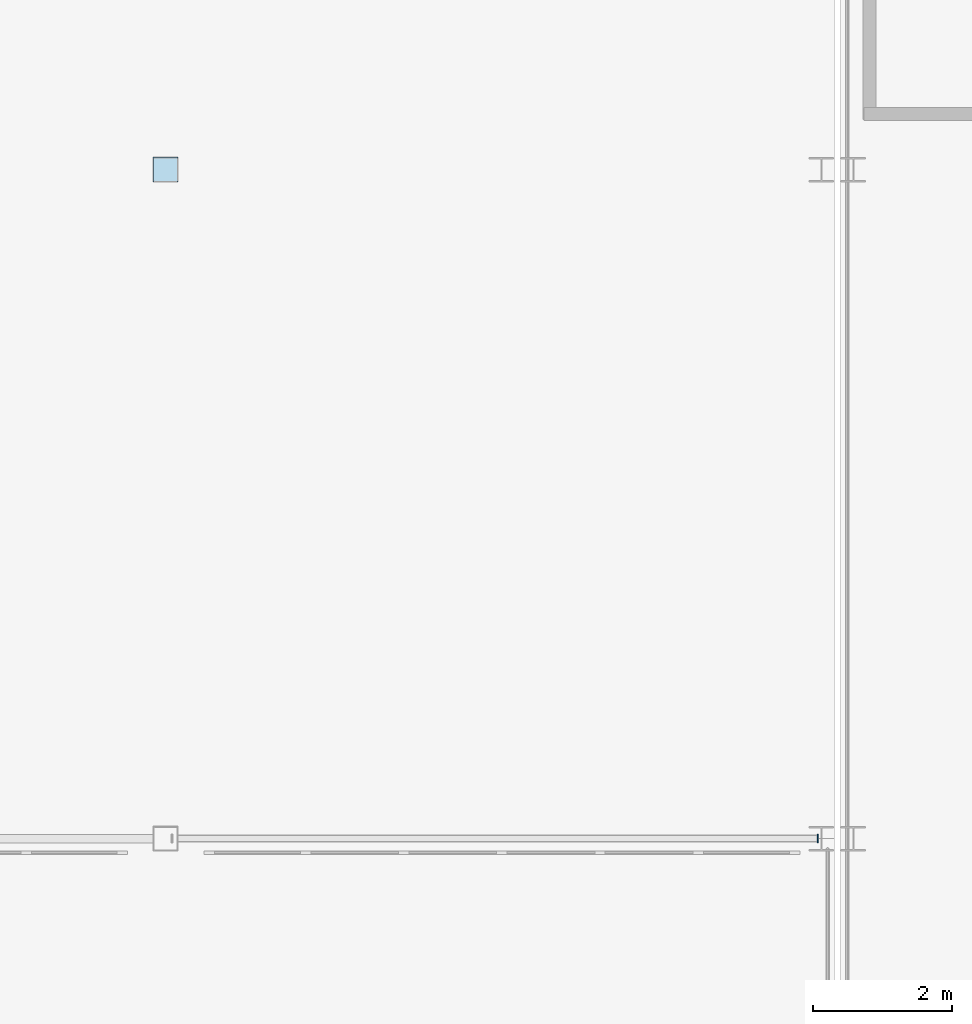
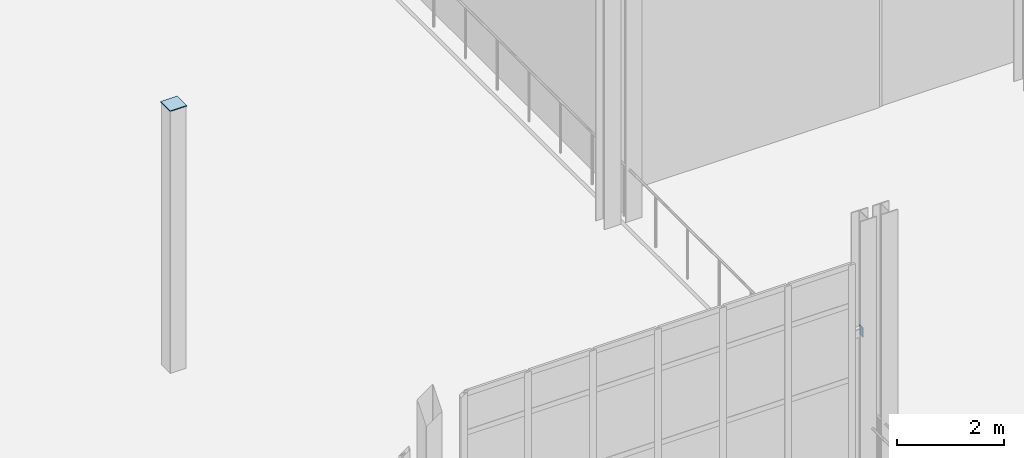
# One storey, part 98 of 139: 2 plates.
"""IFC4 building model written with IfcOpenShell, lengths in metres."""

from ifc_helpers import new_model, si_unit, direction, frame, origin, origin_2d, place, context, subcontext, project, spatial, rectangle, extrude, material, layer, layer_set, type_object, element, save


model = new_model("IFC4")

# Units and contexts
model_context = context("Model", 3, precision=1e-05, world=origin(), true_north=direction((0.0, 1.0)))
body_context = subcontext(model_context, "Body", "Model", "MODEL_VIEW")
ifc_project = project(units=[si_unit("LENGTHUNIT", "METRE"), si_unit("AREAUNIT", "SQUARE_METRE"), si_unit("VOLUMEUNIT", "CUBIC_METRE"), si_unit("PLANEANGLEUNIT", "RADIAN"), si_unit("MASSUNIT", "GRAM", prefix="KILO")], contexts=[model_context])

# Site, building, storey
site_placement = place(None, origin())
site = spatial("IfcSite", under=ifc_project, at=site_placement, CompositionType="ELEMENT")
building_placement = place(site_placement, origin())
building = spatial("IfcBuilding", under=site, at=building_placement, Name="Yeouljin Market Hall", CompositionType="ELEMENT")
storey_placement = place(building_placement, origin())
storey = spatial("IfcBuildingStorey", under=building, at=storey_placement, Name="L00", CompositionType="ELEMENT", Elevation=0.0)

# Plates
ifc_material_1 = material(Name="Steel SM355", Category="steel")
ifc_layer_1 = layer(ifc_material_1, 0.01611328125)
ifc_layer_set_1 = layer_set([ifc_layer_1], Name="Steel SM355")
plate_type_1 = type_object("IfcPlateType", Name="CapPlate_220x120x16", PredefinedType="SHEET", material=ifc_layer_set_1)
plate_1_placement = place(storey_placement, frame((140.758056640625, 9.60009765625, 3.240234375), z_axis=(0.0, 0.0, 1.0), x_axis=(0.0, 1.0, 0.0)))
element("IfcPlate", 1, at=plate_1_placement, inside=storey, type_object=plate_type_1, Name="Portal lintel end-cap plate 06-E", PredefinedType="SHEET", context=body_context, shape_type="SweptSolid", body=[
    extrude(rectangle(XDim=0.1201171875, YDim=0.01611328125, at=origin_2d()), origin(), (0.0, 0.0, 1.0), 0.219970703125),
])
ifc_material_2 = material(Name="Steel SM355", Category="steel")
ifc_layer_2 = layer(ifc_material_2, 0.01611328125)
ifc_layer_set_2 = layer_set([ifc_layer_2], Name="Steel SM355")
plate_type_2 = type_object("IfcPlateType", Name="CapPlate_360x360x16", PredefinedType="SHEET", material=ifc_layer_set_2)
plate_2_placement = place(storey_placement, frame((131.39990234375, 19.199951171875, 6.0), z_axis=(0.0, 0.0, 1.0), x_axis=(1.0, 0.0, 0.0)))
element("IfcPlate", 2, at=plate_2_placement, inside=storey, type_object=plate_type_2, Name="Hollow column top cap plate G-15-02 (L00)", PredefinedType="SHEET", context=body_context, shape_type="SweptSolid", body=[
    extrude(rectangle(XDim=0.360107421875, YDim=0.360107421875, at=origin_2d()), origin(), (0.0, 0.0, 1.0), 0.01611328125),
])

save(model, "model.ifc")
